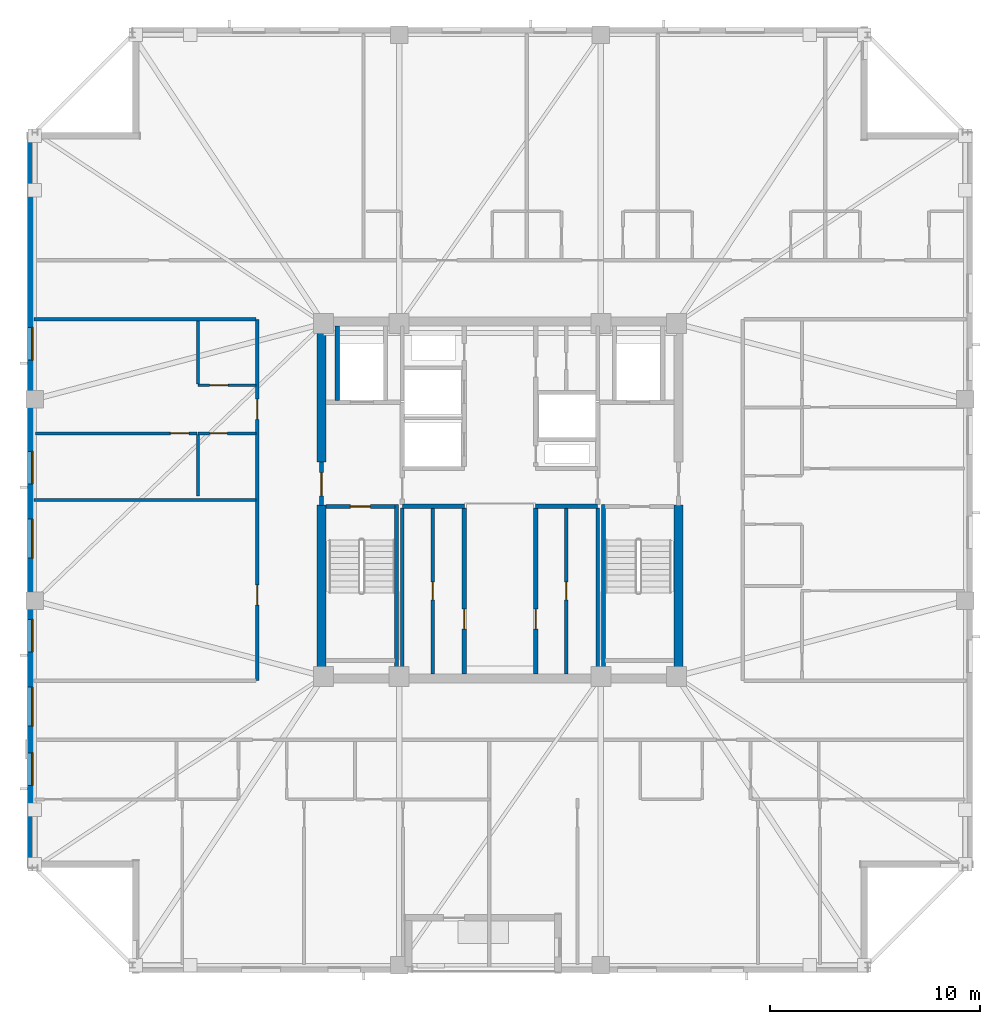
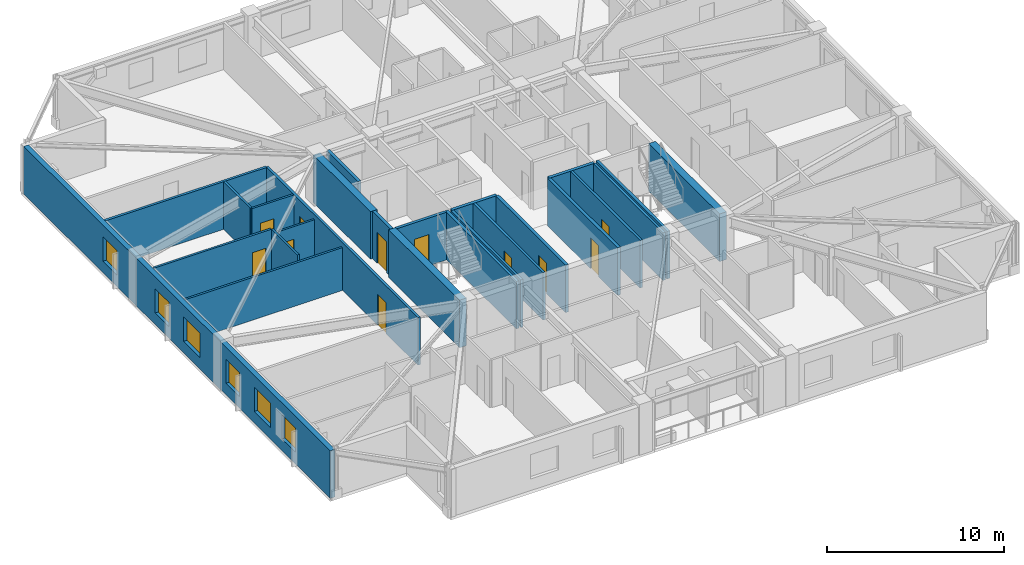
# One storey, part 8 of 17: 25 walls, 11 doors, 6 windows, 17 openings.
"""IFC4 building model written with IfcOpenShell, lengths in metres."""

from ifc_helpers import new_model, si_unit, direction, frame, frame_2d, origin, place, context, subcontext, project, spatial, rectangle, extrude, material, layer, layer_set, type_object, element, fill, save


model = new_model("IFC4")

# Units and contexts
model_context = context("Model", 3, precision=1e-05, world=origin(), true_north=direction((0.0, 1.0)))
body_context = subcontext(model_context, "Body", "Model", "MODEL_VIEW")
ifc_project = project(units=[si_unit("LENGTHUNIT", "METRE"), si_unit("AREAUNIT", "SQUARE_METRE"), si_unit("VOLUMEUNIT", "CUBIC_METRE"), si_unit("PLANEANGLEUNIT", "RADIAN"), si_unit("MASSUNIT", "GRAM", prefix="KILO")], contexts=[model_context])

# Site, building, storey
site_placement = place(None, origin())
site = spatial("IfcSite", under=ifc_project, at=site_placement, CompositionType="ELEMENT")
building_placement = place(site_placement, origin())
building = spatial("IfcBuilding", under=site, at=building_placement, Name="Cairnveth Concourse Tower", CompositionType="ELEMENT")
storey_placement = place(building_placement, frame((0.0, 0.0, 269.0)))
storey = spatial("IfcBuildingStorey", under=building, at=storey_placement, Name="L74", CompositionType="ELEMENT", Elevation=269.0)

# Wall
ifc_material_1 = material(Name="Gypsum Plasterboard Partition", Category="gypsum")
ifc_layer_1 = layer(ifc_material_1, 0.159912109375)
ifc_layer_set_1 = layer_set([ifc_layer_1], Name="Gypsum Plasterboard Partition")
wall_type_1 = type_object("IfcWallType", Name="ACOUSTIC PARTY WALL 180", PredefinedType="PARTITIONING", material=ifc_layer_set_1)
wall_1_placement = place(storey_placement, frame((47.35009765625, 30.7099609375, 0.0), z_axis=(0.0, 0.0, 1.0), x_axis=(0.0, 1.0, 0.0)))
element("IfcWall", 1, at=wall_1_placement, inside=storey, type_object=wall_type_1, Name="Interior Wall IW-L74-025", PredefinedType="PARTITIONING", context=body_context, shape_type="SweptSolid", body=[
    extrude(rectangle(XDim=7.905029296875, YDim=0.159912109375, at=frame_2d((3.95263671875, 0.0))), origin(), (0.0, 0.0, 1.0), 3.2900390625),
])

# Wall, opening, door
wall_2_placement = place(storey_placement, frame((48.800048828125, 30.7099609375, 0.0), z_axis=(0.0, 0.0, 1.0), x_axis=(0.0, 1.0, 0.0)))
wall_2 = element("IfcWall", 2, at=wall_2_placement, inside=storey, type_object=wall_type_1, Name="Interior Wall IW-L74-026", PredefinedType="PARTITIONING", context=body_context, shape_type="SweptSolid", body=[
    extrude(rectangle(XDim=7.905029296875, YDim=0.159912109375, at=frame_2d((3.95263671875, 0.0))), origin(), (0.0, 0.0, 1.0), 3.2900390625),
])
opening_1_placement = place(wall_2_placement, frame((3.5400390625, 0.0, 0.0)))
opening_1 = element("IfcOpeningElement", 3, at=opening_1_placement, cuts=wall_2, Name="Opening ID19", PredefinedType="OPENING", context=body_context, shape_type="SweptSolid", body=[
    extrude(rectangle(XDim=0.85009765625, YDim=2.1201171875, at=frame_2d((0.425048828125, 1.06005859375))), frame((0.0, 0.08984375, 0.0), z_axis=(0.0, -1.0, 0.0), x_axis=(1.0, 0.0, 0.0)), (0.0, 0.0, 1.0), 0.179931640625),
])
ifc_material_2 = material(Name="Steel Grade 350", Category="steel")
door_type_1 = type_object("IfcDoorType", Name="CORE SERVICE DOOR 850X2100", OperationType="NOTDEFINED", PredefinedType="DOOR", material=ifc_material_2)
door_1_placement = place(opening_1_placement, origin())
door_1 = element("IfcDoor", 4, at=door_1_placement, inside=storey, type_object=door_type_1, Name="Inner Store Door L74", OperationType="SINGLE_SWING_RIGHT", OverallHeight=2.1201171875, OverallWidth=0.85009765625, PredefinedType="DOOR", context=body_context, shape_type="SweptSolid", body=[
    extrude(rectangle(XDim=0.85009765625, YDim=2.1201171875, at=frame_2d((0.425048828125, 1.06005859375))), frame((0.0, 0.02490234375, 0.0), z_axis=(0.0, -1.0, 0.0), x_axis=(1.0, 0.0, 0.0)), (0.0, 0.0, 1.0), 0.050048828125),
])
fill(opening_1, door_1)

# Wall
wall_3_placement = place(storey_placement, frame((56.64990234375, 30.7099609375, 0.0), z_axis=(0.0, 0.0, 1.0), x_axis=(0.0, 1.0, 0.0)))
element("IfcWall", 5, at=wall_3_placement, inside=storey, type_object=wall_type_1, Name="Interior Wall IW-L74-027", PredefinedType="PARTITIONING", context=body_context, shape_type="SweptSolid", body=[
    extrude(rectangle(XDim=7.905029296875, YDim=0.159912109375, at=frame_2d((3.95263671875, 0.0))), origin(), (0.0, 0.0, 1.0), 3.2900390625),
])

# Wall, opening, door
wall_4_placement = place(storey_placement, frame((55.14990234375, 30.7099609375, 0.0), z_axis=(0.0, 0.0, 1.0), x_axis=(0.0, 1.0, 0.0)))
wall_4 = element("IfcWall", 6, at=wall_4_placement, inside=storey, type_object=wall_type_1, Name="Interior Wall IW-L74-028", PredefinedType="PARTITIONING", context=body_context, shape_type="SweptSolid", body=[
    extrude(rectangle(XDim=7.905029296875, YDim=0.159912109375, at=frame_2d((3.95263671875, 0.0))), origin(), (0.0, 0.0, 1.0), 3.2900390625),
])
opening_2_placement = place(wall_4_placement, frame((3.5400390625, 0.0, 0.0)))
opening_2 = element("IfcOpeningElement", 7, at=opening_2_placement, cuts=wall_4, Name="Opening ID19", PredefinedType="OPENING", context=body_context, shape_type="SweptSolid", body=[
    extrude(rectangle(XDim=0.85009765625, YDim=2.1201171875, at=frame_2d((0.425048828125, 1.06005859375))), frame((0.0, 0.08984375, 0.0), z_axis=(0.0, -1.0, 0.0), x_axis=(1.0, 0.0, 0.0)), (0.0, 0.0, 1.0), 0.179931640625),
])
door_2_placement = place(opening_2_placement, origin())
door_2 = element("IfcDoor", 8, at=door_2_placement, inside=storey, type_object=door_type_1, Name="Wine Cellar Door L74", OperationType="SINGLE_SWING_RIGHT", OverallHeight=2.1201171875, OverallWidth=0.85009765625, PredefinedType="DOOR", context=body_context, shape_type="SweptSolid", body=[
    extrude(rectangle(XDim=0.85009765625, YDim=2.1201171875, at=frame_2d((0.425048828125, 1.06005859375))), frame((0.0, 0.02490234375, 0.0), z_axis=(0.0, -1.0, 0.0), x_axis=(1.0, 0.0, 0.0)), (0.0, 0.0, 1.0), 0.050048828125),
])
fill(opening_2, door_2)

# Wall, openings, doors
wall_5_placement = place(storey_placement, frame((40.449951171875, 30.39990234375, 0.0), z_axis=(0.0, 0.0, 1.0), x_axis=(0.0, 1.0, 0.0)))
wall_5 = element("IfcWall", 9, at=wall_5_placement, inside=storey, type_object=wall_type_1, Name="Interior Wall IW-L74-038", PredefinedType="PARTITIONING", context=body_context, shape_type="SweptSolid", body=[
    extrude(rectangle(XDim=17.2001953125, YDim=0.159912109375, at=frame_2d((8.60009765625, 0.0))), origin(), (0.0, 0.0, 1.0), 3.2900390625),
])
opening_3_placement = place(wall_5_placement, frame((3.60009765625, 0.0, 0.0)))
opening_3 = element("IfcOpeningElement", 10, at=opening_3_placement, cuts=wall_5, Name="Opening ID11", PredefinedType="OPENING", context=body_context, shape_type="SweptSolid", body=[
    extrude(rectangle(XDim=0.9599609375, YDim=2.1201171875, at=frame_2d((0.47998046875, 1.06005859375))), frame((0.0, 0.08984375, 0.0), z_axis=(0.0, -1.0, 0.0), x_axis=(1.0, 0.0, 0.0)), (0.0, 0.0, 1.0), 0.179931640625),
])
opening_4_placement = place(wall_5_placement, frame((12.43994140625, 0.0, 0.0)))
opening_4 = element("IfcOpeningElement", 11, at=opening_4_placement, cuts=wall_5, Name="Opening ID10", PredefinedType="OPENING", context=body_context, shape_type="SweptSolid", body=[
    extrude(rectangle(XDim=0.9599609375, YDim=2.179931640625, at=frame_2d((0.47998046875, 1.08984375))), frame((0.0, 0.08984375, 0.0), z_axis=(0.0, -1.0, 0.0), x_axis=(1.0, 0.0, 0.0)), (0.0, 0.0, 1.0), 0.179931640625),
])
ifc_material_3 = material(Name="Solid Core Hardwood Timber Leaf", Category="wood")
door_type_2 = type_object("IfcDoorType", Name="FLAT ENTRANCE DOOR 960X2150", OperationType="NOTDEFINED", PredefinedType="DOOR", material=ifc_material_3)
door_3_placement = place(opening_4_placement, origin())
door_3 = element("IfcDoor", 12, at=door_3_placement, inside=storey, type_object=door_type_2, Name="Apartment L74W1 Entrance Door", OperationType="SINGLE_SWING_LEFT", OverallHeight=2.179931640625, OverallWidth=0.9599609375, PredefinedType="DOOR", context=body_context, shape_type="SweptSolid", body=[
    extrude(rectangle(XDim=0.9599609375, YDim=2.179931640625, at=frame_2d((0.47998046875, 1.08984375))), frame((0.0, 0.02490234375, 0.0), z_axis=(0.0, -1.0, 0.0), x_axis=(1.0, 0.0, 0.0)), (0.0, 0.0, 1.0), 0.050048828125),
])
fill(opening_4, door_3)
door_type_3 = type_object("IfcDoorType", Name="INTERIOR SINGLE DOOR 960X2150", OperationType="NOTDEFINED", PredefinedType="DOOR", material=ifc_material_3)
door_4_placement = place(opening_3_placement, origin())
door_4 = element("IfcDoor", 13, at=door_4_placement, inside=storey, type_object=door_type_3, Name="Interior Door DR-L74-045", OperationType="SINGLE_SWING_LEFT", OverallHeight=2.1201171875, OverallWidth=0.9599609375, PredefinedType="DOOR", context=body_context, shape_type="SweptSolid", body=[
    extrude(rectangle(XDim=0.9599609375, YDim=2.1201171875, at=frame_2d((0.47998046875, 1.06005859375))), frame((0.0, 0.02490234375, 0.0), z_axis=(0.0, -1.0, 0.0), x_axis=(1.0, 0.0, 0.0)), (0.0, 0.0, 1.0), 0.050048828125),
])
fill(opening_3, door_4)

# Walls
wall_6_placement = place(storey_placement, frame((29.804931640625, 47.60009765625, 0.0), z_axis=(0.0, 0.0, 1.0), x_axis=(1.0, 0.0, 0.0)))
element("IfcWall", 14, at=wall_6_placement, inside=storey, type_object=wall_type_1, Name="Interior Wall IW-L74-041", PredefinedType="PARTITIONING", context=body_context, shape_type="SweptSolid", body=[
    extrude(rectangle(XDim=10.580078125, YDim=0.159912109375, at=frame_2d((5.2900390625, 0.0))), origin(), (0.0, 0.0, 1.0), 3.2900390625),
])
ifc_material_4 = material(Name="Concrete N65 (65 MPa)", Category="concrete")
ifc_layer_2 = layer(ifc_material_4, 0.449951171875)
ifc_layer_set_2 = layer_set([ifc_layer_2], Name="Concrete N65 (65 MPa)")
wall_type_2 = type_object("IfcWallType", Name="CORE SHEAR WALL 450", PredefinedType="SHEAR", material=ifc_layer_set_2)
wall_7_placement = place(storey_placement, frame((43.5, 30.715087890625, 0.0), z_axis=(0.0, 0.0, 1.0), x_axis=(0.0, 1.0, 0.0)))
element("IfcWall", 15, at=wall_7_placement, inside=storey, type_object=wall_type_2, Name="Core West Shear Wall S L74", PredefinedType="SHEAR", context=body_context, shape_type="SweptSolid", body=[
    extrude(rectangle(XDim=8.034912109375, YDim=0.449951171875, at=frame_2d((4.017578125, 0.0))), origin(), (0.0, 0.0, 1.0), 3.2900390625),
])
wall_8_placement = place(storey_placement, frame((43.5, 40.800048828125, 0.0), z_axis=(0.0, 0.0, 1.0), x_axis=(0.0, 1.0, 0.0)))
element("IfcWall", 16, at=wall_8_placement, inside=storey, type_object=wall_type_2, Name="Core West Shear Wall N L74", PredefinedType="SHEAR", context=body_context, shape_type="SweptSolid", body=[
    extrude(rectangle(XDim=6.48486328125, YDim=0.449951171875, at=frame_2d((3.242431640625, 0.0))), origin(), (0.0, 0.0, 1.0), 3.2900390625),
])
wall_9_placement = place(storey_placement, frame((60.5, 30.715087890625, 0.0), z_axis=(0.0, 0.0, 1.0), x_axis=(0.0, 1.0, 0.0)))
element("IfcWall", 17, at=wall_9_placement, inside=storey, type_object=wall_type_2, Name="Core East Shear Wall S L74", PredefinedType="SHEAR", context=body_context, shape_type="SweptSolid", body=[
    extrude(rectangle(XDim=8.034912109375, YDim=0.449951171875, at=frame_2d((4.017578125, 0.0))), origin(), (0.0, 0.0, 1.0), 3.2900390625),
])

# Wall, opening, door
ifc_material_5 = material(Name="Concrete N50 (50 MPa)", Category="concrete")
ifc_layer_3 = layer(ifc_material_5, 0.179931640625)
ifc_layer_set_3 = layer_set([ifc_layer_3], Name="Concrete N50 (50 MPa)")
wall_type_3 = type_object("IfcWallType", Name="FIRE SHAFT WALL 180", PredefinedType="SOLIDWALL", material=ifc_layer_set_3)
wall_10_placement = place(storey_placement, frame((43.715087890625, 38.68994140625, 0.0), z_axis=(0.0, 0.0, 1.0), x_axis=(1.0, 0.0, 0.0)))
wall_10 = element("IfcWall", 18, at=wall_10_placement, inside=storey, type_object=wall_type_3, Name="Stair ST-1 Shaft Wall NEAR L74", PredefinedType="SOLIDWALL", context=body_context, shape_type="SweptSolid", body=[
    extrude(rectangle(XDim=3.280029296875, YDim=0.179931640625, at=frame_2d((1.64013671875, 0.0))), origin(), (0.0, 0.0, 1.0), 3.2900390625),
])
opening_5_placement = place(wall_10_placement, frame((1.1650390625, 0.0, 0.0)))
opening_5 = element("IfcOpeningElement", 19, at=opening_5_placement, cuts=wall_10, Name="Opening ID12", PredefinedType="OPENING", context=body_context, shape_type="SweptSolid", body=[
    extrude(rectangle(XDim=0.949951171875, YDim=2.14990234375, at=frame_2d((0.47509765625, 1.074951171875))), frame((0.0, 0.099853515625, 0.0), z_axis=(0.0, -1.0, 0.0), x_axis=(1.0, 0.0, 0.0)), (0.0, 0.0, 1.0), 0.199951171875),
])
door_type_4 = type_object("IfcDoorType", Name="FIRE STAIR DOOR 950X2150", OperationType="NOTDEFINED", PredefinedType="DOOR", material=ifc_material_2)
door_5_placement = place(opening_5_placement, origin())
door_5 = element("IfcDoor", 20, at=door_5_placement, inside=storey, type_object=door_type_4, Name="Stair ST-1 Fire Door L74", OperationType="SINGLE_SWING_LEFT", OverallHeight=2.14990234375, OverallWidth=0.949951171875, PredefinedType="DOOR", context=body_context, shape_type="SweptSolid", body=[
    extrude(rectangle(XDim=0.949951171875, YDim=2.14990234375, at=frame_2d((0.47509765625, 1.074951171875))), frame((0.0, 0.02490234375, 0.0), z_axis=(0.0, -1.0, 0.0), x_axis=(1.0, 0.0, 0.0)), (0.0, 0.0, 1.0), 0.050048828125),
])
fill(opening_5, door_5)

# Walls
for number, where, z_axis, x_axis, name in (
    (21, (47.070068359375, 38.780029296875, 0.0), (0.0, 0.0, 1.0), (0.0, -1.0, 0.0), "Stair ST-1 Shaft Wall RGHT L74"),
    (22, (56.929931640625, 38.780029296875, 0.0), (0.0, 0.0, 1.0), (0.0, -1.0, 0.0), "Stair ST-2 Shaft Wall LEFT L74"),
):
    element("IfcWall", number, at=place(storey_placement, frame(where, z_axis=z_axis, x_axis=x_axis)), inside=storey, type_object=wall_type_3, Name=name, PredefinedType="SOLIDWALL", context=body_context, shape_type="SweptSolid", body=[
        extrude(rectangle(XDim=8.067138671875, YDim=0.179931640625, at=frame_2d((4.03369140625, 0.0))), origin(), (0.0, 0.0, 1.0), 3.2900390625),
    ])
ifc_layer_4 = layer(ifc_material_5, 0.199951171875)
ifc_layer_set_4 = layer_set([ifc_layer_4], Name="Concrete N50 (50 MPa)")
wall_type_4 = type_object("IfcWallType", Name="FIRE SHAFT WALL 200", PredefinedType="SOLIDWALL", material=ifc_layer_set_4)
for number, where, z_axis, x_axis, name in (
    (23, (47.35009765625, 38.699951171875, 0.0), (0.0, 0.0, 1.0), (1.0, 0.0, 0.0), "Interior Wall IW-L74-007"),
    (24, (53.699951171875, 38.699951171875, 0.0), (0.0, 0.0, 1.0), (1.0, 0.0, 0.0), "Interior Wall IW-L74-009"),
):
    element("IfcWall", number, at=place(storey_placement, frame(where, z_axis=z_axis, x_axis=x_axis)), inside=storey, type_object=wall_type_4, Name=name, PredefinedType="SOLIDWALL", context=body_context, shape_type="SweptSolid", body=[
        extrude(rectangle(XDim=2.949951171875, YDim=0.199951171875, at=frame_2d((1.47509765625, 0.0))), origin(), (0.0, 0.0, 1.0), 3.2900390625),
    ])

# Wall, opening, door
wall_11_placement = place(storey_placement, frame((50.300048828125, 30.7099609375, 0.0), z_axis=(0.0, 0.0, 1.0), x_axis=(0.0, 1.0, 0.0)))
wall_11 = element("IfcWall", 25, at=wall_11_placement, inside=storey, type_object=wall_type_4, Name="Interior Wall IW-L74-011", PredefinedType="SOLIDWALL", context=body_context, shape_type="SweptSolid", body=[
    extrude(rectangle(XDim=7.905029296875, YDim=0.199951171875, at=frame_2d((3.95263671875, 0.0))), origin(), (0.0, 0.0, 1.0), 3.2900390625),
])
opening_6_placement = place(wall_11_placement, frame((2.139892578125, 0.0, 0.0)))
opening_6 = element("IfcOpeningElement", 26, at=opening_6_placement, cuts=wall_11, Name="Opening ID25", PredefinedType="OPENING", context=body_context, shape_type="SweptSolid", body=[
    extrude(rectangle(XDim=0.949951171875, YDim=2.1201171875, at=frame_2d((0.47509765625, 1.06005859375))), frame((0.0, 0.10986328125, 0.0), z_axis=(0.0, -1.0, 0.0), x_axis=(1.0, 0.0, 0.0)), (0.0, 0.0, 1.0), 0.219970703125),
])
door_type_5 = type_object("IfcDoorType", Name="CORE ACCESSIBLE FIRE DOOR 950X2120", OperationType="NOTDEFINED", PredefinedType="DOOR", material=ifc_material_2)
door_6_placement = place(opening_6_placement, origin())
door_6 = element("IfcDoor", 27, at=door_6_placement, inside=storey, type_object=door_type_5, Name="Accessible WC Suite Door L74", OperationType="SINGLE_SWING_LEFT", OverallHeight=2.1201171875, OverallWidth=0.949951171875, PredefinedType="DOOR", context=body_context, shape_type="SweptSolid", body=[
    extrude(rectangle(XDim=0.949951171875, YDim=2.1201171875, at=frame_2d((0.47509765625, 1.06005859375))), frame((0.0, 0.02490234375, 0.0), z_axis=(0.0, -1.0, 0.0), x_axis=(1.0, 0.0, 0.0)), (0.0, 0.0, 1.0), 0.050048828125),
])
fill(opening_6, door_6)

wall_12_placement = place(storey_placement, frame((53.699951171875, 30.7099609375, 0.0), z_axis=(0.0, 0.0, 1.0), x_axis=(0.0, 1.0, 0.0)))
wall_12 = element("IfcWall", 28, at=wall_12_placement, inside=storey, type_object=wall_type_4, Name="Interior Wall IW-L74-012", PredefinedType="SOLIDWALL", context=body_context, shape_type="SweptSolid", body=[
    extrude(rectangle(XDim=7.905029296875, YDim=0.199951171875, at=frame_2d((3.95263671875, 0.0))), origin(), (0.0, 0.0, 1.0), 3.2900390625),
])
opening_7_placement = place(wall_12_placement, frame((2.139892578125, 0.0, 0.0)))
opening_7 = element("IfcOpeningElement", 29, at=opening_7_placement, cuts=wall_12, Name="Opening ID25", PredefinedType="OPENING", context=body_context, shape_type="SweptSolid", body=[
    extrude(rectangle(XDim=0.949951171875, YDim=2.1201171875, at=frame_2d((0.47509765625, 1.06005859375))), frame((0.0, 0.10986328125, 0.0), z_axis=(0.0, -1.0, 0.0), x_axis=(1.0, 0.0, 0.0)), (0.0, 0.0, 1.0), 0.219970703125),
])
door_7_placement = place(opening_7_placement, origin())
door_7 = element("IfcDoor", 30, at=door_7_placement, inside=storey, type_object=door_type_5, Name="Sky Restroom Door L74", OperationType="SINGLE_SWING_LEFT", OverallHeight=2.1201171875, OverallWidth=0.949951171875, PredefinedType="DOOR", context=body_context, shape_type="SweptSolid", body=[
    extrude(rectangle(XDim=0.949951171875, YDim=2.1201171875, at=frame_2d((0.47509765625, 1.06005859375))), frame((0.0, 0.02490234375, 0.0), z_axis=(0.0, -1.0, 0.0), x_axis=(1.0, 0.0, 0.0)), (0.0, 0.0, 1.0), 0.050048828125),
])
fill(opening_7, door_7)

wall_13_placement = place(storey_placement, frame((43.5, 38.75, 0.0), z_axis=(0.0, 0.0, 1.0), x_axis=(0.0, 1.0, 0.0)))
wall_13 = element("IfcWall", 31, at=wall_13_placement, inside=storey, type_object=wall_type_4, Name="Interior Wall IW-L74-015", PredefinedType="SOLIDWALL", context=body_context, shape_type="SweptSolid", body=[
    extrude(rectangle(XDim=2.050048828125, YDim=0.199951171875, at=frame_2d((1.02490234375, 0.0))), origin(), (0.0, 0.0, 1.0), 3.2900390625),
])
opening_8_placement = place(wall_13_placement, frame((0.449951171875, 0.0, 0.0)))
opening_8 = element("IfcOpeningElement", 32, at=opening_8_placement, cuts=wall_13, Name="Opening ID06", PredefinedType="OPENING", context=body_context, shape_type="SweptSolid", body=[
    extrude(rectangle(XDim=1.10009765625, YDim=2.14990234375, at=frame_2d((0.550048828125, 1.074951171875))), frame((0.0, 0.10986328125, 0.0), z_axis=(0.0, -1.0, 0.0), x_axis=(1.0, 0.0, 0.0)), (0.0, 0.0, 1.0), 0.219970703125),
])
door_type_6 = type_object("IfcDoorType", Name="FIRE CORRIDOR DOOR 1100X2150", OperationType="NOTDEFINED", PredefinedType="DOOR", material=ifc_material_2)
door_8_placement = place(opening_8_placement, origin())
door_8 = element("IfcDoor", 33, at=door_8_placement, inside=storey, type_object=door_type_6, Name="West Wing to FF Lobby Door L74", OperationType="SINGLE_SWING_LEFT", OverallHeight=2.14990234375, OverallWidth=1.10009765625, PredefinedType="DOOR", context=body_context, shape_type="SweptSolid", body=[
    extrude(rectangle(XDim=1.10009765625, YDim=2.14990234375, at=frame_2d((0.550048828125, 1.074951171875))), frame((0.0, 0.02490234375, 0.0), z_axis=(0.0, -1.0, 0.0), x_axis=(1.0, 0.0, 0.0)), (0.0, 0.0, 1.0), 0.050048828125),
])
fill(opening_8, door_8)

# Walls
wall_14_placement = place(storey_placement, frame((44.25, 43.735107421875, 0.0), z_axis=(0.0, 0.0, 1.0), x_axis=(0.0, 1.0, 0.0)))
element("IfcWall", 34, at=wall_14_placement, inside=storey, type_object=wall_type_4, Name="Interior Wall IW-L74-019", PredefinedType="SOLIDWALL", context=body_context, shape_type="SweptSolid", body=[
    extrude(rectangle(XDim=3.554931640625, YDim=0.199951171875, at=frame_2d((1.77734375, 0.0))), origin(), (0.0, 0.0, 1.0), 3.2900390625),
])
ifc_layer_5 = layer(ifc_material_1, 0.139892578125)
ifc_layer_set_5 = layer_set([ifc_layer_5], Name="Gypsum Plasterboard Partition")
wall_type_5 = type_object("IfcWallType", Name="GYPSUM STUD PARTITION 140", PredefinedType="PARTITIONING", material=ifc_layer_set_5)
wall_15_placement = place(storey_placement, frame((29.804931640625, 39.0, 0.0), z_axis=(0.0, 0.0, 1.0), x_axis=(1.0, 0.0, 0.0)))
element("IfcWall", 35, at=wall_15_placement, inside=storey, type_object=wall_type_5, Name="Interior Wall IW-L74-086", PredefinedType="PARTITIONING", context=body_context, shape_type="SweptSolid", body=[
    extrude(rectangle(XDim=10.565185546875, YDim=0.139892578125, at=frame_2d((5.28271484375, 0.0))), origin(), (0.0, 0.0, 1.0), 2.9580078125),
])

# Wall, opening, door
wall_16_placement = place(storey_placement, frame((29.8798828125, 42.169921875, 0.0), z_axis=(0.0, 0.0, 1.0), x_axis=(1.0, 0.0, 0.0)))
wall_16 = element("IfcWall", 36, at=wall_16_placement, inside=storey, type_object=wall_type_5, Name="Interior Wall IW-L74-091", PredefinedType="PARTITIONING", context=body_context, shape_type="SweptSolid", body=[
    extrude(rectangle(XDim=7.690185546875, YDim=0.139892578125, at=frame_2d((3.84521484375, 0.0))), origin(), (0.0, 0.0, 1.0), 3.2900390625),
])
opening_9_placement = place(wall_16_placement, frame((6.429931640625, 0.0, 0.0)))
opening_9 = element("IfcOpeningElement", 37, at=opening_9_placement, cuts=wall_16, Name="Opening ID18", PredefinedType="OPENING", context=body_context, shape_type="SweptSolid", body=[
    extrude(rectangle(XDim=0.8798828125, YDim=2.10009765625, at=frame_2d((0.43994140625, 1.050048828125))), frame((0.0, 0.079833984375, 0.0), z_axis=(0.0, -1.0, 0.0), x_axis=(1.0, 0.0, 0.0)), (0.0, 0.0, 1.0), 0.159912109375),
])
door_type_7 = type_object("IfcDoorType", Name="INTERIOR SINGLE DOOR 880X2100", OperationType="NOTDEFINED", PredefinedType="DOOR", material=ifc_material_3)
door_9_placement = place(opening_9_placement, origin())
door_9 = element("IfcDoor", 38, at=door_9_placement, inside=storey, type_object=door_type_7, Name="L74W1 Master Bedroom Door", OperationType="SINGLE_SWING_RIGHT", OverallHeight=2.10009765625, OverallWidth=0.8798828125, PredefinedType="DOOR", context=body_context, shape_type="SweptSolid", body=[
    extrude(rectangle(XDim=0.8798828125, YDim=2.10009765625, at=frame_2d((0.43994140625, 1.050048828125))), frame((0.0, 0.02490234375, 0.0), z_axis=(0.0, -1.0, 0.0), x_axis=(1.0, 0.0, 0.0)), (0.0, 0.0, 1.0), 0.050048828125),
])
fill(opening_9, door_9)

ifc_layer_6 = layer(ifc_material_1, 0.1298828125)
ifc_layer_set_6 = layer_set([ifc_layer_6], Name="Gypsum Plasterboard Partition")
wall_type_6 = type_object("IfcWallType", Name="WET AREA PARTITION 140", PredefinedType="PLUMBINGWALL", material=ifc_layer_set_6)
wall_17_placement = place(storey_placement, frame((37.6201171875, 42.169921875, 0.0), z_axis=(0.0, 0.0, 1.0), x_axis=(1.0, 0.0, 0.0)))
wall_17 = element("IfcWall", 39, at=wall_17_placement, inside=storey, type_object=wall_type_6, Name="Interior Wall IW-L74-087", PredefinedType="PLUMBINGWALL", context=body_context, shape_type="SweptSolid", body=[
    extrude(rectangle(XDim=2.75, YDim=0.1298828125, at=frame_2d((1.375, 0.0))), origin(), (0.0, 0.0, 1.0), 2.9580078125),
])
opening_10_placement = place(wall_17_placement, frame((0.550048828125, 0.0, 0.0)))
opening_10 = element("IfcOpeningElement", 40, at=opening_10_placement, cuts=wall_17, Name="Opening ID21", PredefinedType="OPENING", context=body_context, shape_type="SweptSolid", body=[
    extrude(rectangle(XDim=0.85009765625, YDim=2.080078125, at=frame_2d((0.425048828125, 1.0400390625))), frame((0.0, 0.074951171875, 0.0), z_axis=(0.0, -1.0, 0.0), x_axis=(1.0, 0.0, 0.0)), (0.0, 0.0, 1.0), 0.14990234375),
])
door_type_8 = type_object("IfcDoorType", Name="INTERIOR WC DOOR 850X2100", OperationType="NOTDEFINED", PredefinedType="DOOR", material=ifc_material_3)
door_10_placement = place(opening_10_placement, origin())
door_10 = element("IfcDoor", 41, at=door_10_placement, inside=storey, type_object=door_type_8, Name="L74W1 Bathroom Door", OperationType="SINGLE_SWING_RIGHT", OverallHeight=2.080078125, OverallWidth=0.85009765625, PredefinedType="DOOR", context=body_context, shape_type="SweptSolid", body=[
    extrude(rectangle(XDim=0.85009765625, YDim=2.080078125, at=frame_2d((0.425048828125, 1.0400390625))), frame((0.0, 0.02490234375, 0.0), z_axis=(0.0, -1.0, 0.0), x_axis=(1.0, 0.0, 0.0)), (0.0, 0.0, 1.0), 0.050048828125),
])
fill(opening_10, door_10)

# Wall
wall_18_placement = place(storey_placement, frame((37.6201171875, 39.179931640625, 0.0), z_axis=(0.0, 0.0, 1.0), x_axis=(0.0, 1.0, 0.0)))
element("IfcWall", 42, at=wall_18_placement, inside=storey, type_object=wall_type_6, Name="Interior Wall IW-L74-088", PredefinedType="PLUMBINGWALL", context=body_context, shape_type="SweptSolid", body=[
    extrude(rectangle(XDim=2.940185546875, YDim=0.1298828125, at=frame_2d((1.47021484375, 0.0))), origin(), (0.0, 0.0, 1.0), 3.2900390625),
])

# Wall, opening, door
wall_19_placement = place(storey_placement, frame((37.6201171875, 44.469970703125, 0.0), z_axis=(0.0, 0.0, 1.0), x_axis=(1.0, 0.0, 0.0)))
wall_19 = element("IfcWall", 43, at=wall_19_placement, inside=storey, type_object=wall_type_6, Name="Interior Wall IW-L74-089", PredefinedType="PLUMBINGWALL", context=body_context, shape_type="SweptSolid", body=[
    extrude(rectangle(XDim=2.75, YDim=0.1298828125, at=frame_2d((1.375, 0.0))), origin(), (0.0, 0.0, 1.0), 3.2900390625),
])
opening_11_placement = place(wall_19_placement, frame((0.550048828125, 0.0, 0.0)))
opening_11 = element("IfcOpeningElement", 44, at=opening_11_placement, cuts=wall_19, Name="Opening ID18", PredefinedType="OPENING", context=body_context, shape_type="SweptSolid", body=[
    extrude(rectangle(XDim=0.8798828125, YDim=2.10009765625, at=frame_2d((0.43994140625, 1.050048828125))), frame((0.0, 0.074951171875, 0.0), z_axis=(0.0, -1.0, 0.0), x_axis=(1.0, 0.0, 0.0)), (0.0, 0.0, 1.0), 0.14990234375),
])
door_11_placement = place(opening_11_placement, origin())
door_11 = element("IfcDoor", 45, at=door_11_placement, inside=storey, type_object=door_type_7, Name="L74W1 Kitchen Door", OperationType="SINGLE_SWING_LEFT", OverallHeight=2.10009765625, OverallWidth=0.8798828125, PredefinedType="DOOR", context=body_context, shape_type="SweptSolid", body=[
    extrude(rectangle(XDim=0.8798828125, YDim=2.10009765625, at=frame_2d((0.43994140625, 1.050048828125))), frame((0.0, 0.02490234375, 0.0), z_axis=(0.0, -1.0, 0.0), x_axis=(1.0, 0.0, 0.0)), (0.0, 0.0, 1.0), 0.050048828125),
])
fill(opening_11, door_11)

# Wall
wall_20_placement = place(storey_placement, frame((37.6201171875, 44.52001953125, 0.0), z_axis=(0.0, 0.0, 1.0), x_axis=(0.0, 1.0, 0.0)))
element("IfcWall", 46, at=wall_20_placement, inside=storey, type_object=wall_type_6, Name="Interior Wall IW-L74-090", PredefinedType="PLUMBINGWALL", context=body_context, shape_type="SweptSolid", body=[
    extrude(rectangle(XDim=3.014892578125, YDim=0.1298828125, at=frame_2d((1.50732421875, 0.0))), origin(), (0.0, 0.0, 1.0), 3.2900390625),
])

# Wall, openings, windows
ifc_material_6 = material(Name="Melbourne Buff Fired Clay Brick Masonry", Category="masonry")
ifc_layer_7 = layer(ifc_material_6, 0.320068359375)
ifc_layer_set_7 = layer_set([ifc_layer_7], Name="Melbourne Buff Fired Clay Brick Masonry")
wall_type_7 = type_object("IfcWallType", Name="ZONE 3 BRICK PIER SPANDREL WALL 320", PredefinedType="SOLIDWALL", material=ifc_layer_set_7)
wall_21_placement = place(storey_placement, frame((29.659912109375, 21.5, 0.0), z_axis=(0.0, 0.0, 1.0), x_axis=(0.0, 1.0, 0.0)))
wall_21 = element("IfcWall", 47, at=wall_21_placement, inside=storey, type_object=wall_type_7, Name="Exterior Wall EW-L74-S03", PredefinedType="SOLIDWALL", context=body_context, shape_type="SweptSolid", body=[
    extrude(rectangle(XDim=34.701904296875, YDim=0.320068359375, at=frame_2d((17.35107421875, 0.0))), origin(), (0.0, 0.0, 1.0), 3.2900390625),
])
opening_12_placement = place(wall_21_placement, frame((3.91259765625, 0.0, 0.800048828125)))
opening_12 = element("IfcOpeningElement", 48, at=opening_12_placement, cuts=wall_21, Name="Opening W07", PredefinedType="OPENING", context=body_context, shape_type="SweptSolid", body=[
    extrude(rectangle(XDim=1.550048828125, YDim=1.677978515625, at=frame_2d((0.77490234375, 0.8388671875))), frame((0.0, 0.169921875, 0.0), z_axis=(0.0, -1.0, 0.0), x_axis=(1.0, 0.0, 0.0)), (0.0, 0.0, 1.0), 0.340087890625),
])
opening_13_placement = place(wall_21_placement, frame((6.73779296875, 0.0, 0.800048828125)))
opening_13 = element("IfcOpeningElement", 49, at=opening_13_placement, cuts=wall_21, Name="Opening W08", PredefinedType="OPENING", context=body_context, shape_type="SweptSolid", body=[
    extrude(rectangle(XDim=1.85009765625, YDim=1.677978515625, at=frame_2d((0.925048828125, 0.8388671875))), frame((0.0, 0.169921875, 0.0), z_axis=(0.0, -1.0, 0.0), x_axis=(1.0, 0.0, 0.0)), (0.0, 0.0, 1.0), 0.340087890625),
])
opening_14_placement = place(wall_21_placement, frame((10.26318359375, 0.0, 0.800048828125)))
opening_14 = element("IfcOpeningElement", 50, at=opening_14_placement, cuts=wall_21, Name="Opening W07", PredefinedType="OPENING", context=body_context, shape_type="SweptSolid", body=[
    extrude(rectangle(XDim=1.550048828125, YDim=1.677978515625, at=frame_2d((0.77490234375, 0.8388671875))), frame((0.0, 0.169921875, 0.0), z_axis=(0.0, -1.0, 0.0), x_axis=(1.0, 0.0, 0.0)), (0.0, 0.0, 1.0), 0.340087890625),
])
opening_15_placement = place(wall_21_placement, frame((14.73828125, 0.0, 0.800048828125)))
opening_15 = element("IfcOpeningElement", 51, at=opening_15_placement, cuts=wall_21, Name="Opening W08", PredefinedType="OPENING", context=body_context, shape_type="SweptSolid", body=[
    extrude(rectangle(XDim=1.85009765625, YDim=1.677978515625, at=frame_2d((0.925048828125, 0.8388671875))), frame((0.0, 0.169921875, 0.0), z_axis=(0.0, -1.0, 0.0), x_axis=(1.0, 0.0, 0.0)), (0.0, 0.0, 1.0), 0.340087890625),
])
opening_16_placement = place(wall_21_placement, frame((18.263671875, 0.0, 0.800048828125)))
opening_16 = element("IfcOpeningElement", 52, at=opening_16_placement, cuts=wall_21, Name="Opening W07", PredefinedType="OPENING", context=body_context, shape_type="SweptSolid", body=[
    extrude(rectangle(XDim=1.550048828125, YDim=1.677978515625, at=frame_2d((0.77490234375, 0.8388671875))), frame((0.0, 0.169921875, 0.0), z_axis=(0.0, -1.0, 0.0), x_axis=(1.0, 0.0, 0.0)), (0.0, 0.0, 1.0), 0.340087890625),
])
opening_17_placement = place(wall_21_placement, frame((24.1640625, 0.0, 0.800048828125)))
opening_17 = element("IfcOpeningElement", 53, at=opening_17_placement, cuts=wall_21, Name="Opening W07", PredefinedType="OPENING", context=body_context, shape_type="SweptSolid", body=[
    extrude(rectangle(XDim=1.550048828125, YDim=1.677978515625, at=frame_2d((0.77490234375, 0.8388671875))), frame((0.0, 0.169921875, 0.0), z_axis=(0.0, -1.0, 0.0), x_axis=(1.0, 0.0, 0.0)), (0.0, 0.0, 1.0), 0.340087890625),
])
ifc_material_7 = material(Name="Double Glazed Low-E Clear Glass", Category="glass")
window_type_1 = type_object("IfcWindowType", Name="DEEP-SET APARTMENT LIVING WINDOW 1850X1850", PartitioningType="DOUBLE_PANEL_VERTICAL", PredefinedType="WINDOW", material=ifc_material_7)
window_1_placement = place(opening_13_placement, origin())
window_1 = element("IfcWindow", 54, at=window_1_placement, inside=storey, type_object=window_type_1, Name="Gothic Lancet Window L74-3-2", OverallHeight=1.677978515625, OverallWidth=1.85009765625, PartitioningType="SINGLE_PANEL", PredefinedType="WINDOW", context=body_context, shape_type="SweptSolid", body=[
    extrude(rectangle(XDim=1.85009765625, YDim=1.677978515625, at=frame_2d((0.925048828125, 0.8388671875))), frame((0.0, -0.050048828125, 0.0), z_axis=(0.0, -1.0, 0.0), x_axis=(1.0, 0.0, 0.0)), (0.0, 0.0, 1.0), 0.06005859375),
])
fill(opening_13, window_1)
window_2_placement = place(opening_15_placement, origin())
window_2 = element("IfcWindow", 55, at=window_2_placement, inside=storey, type_object=window_type_1, Name="Gothic Lancet Window L74-3-4", OverallHeight=1.677978515625, OverallWidth=1.85009765625, PartitioningType="SINGLE_PANEL", PredefinedType="WINDOW", context=body_context, shape_type="SweptSolid", body=[
    extrude(rectangle(XDim=1.85009765625, YDim=1.677978515625, at=frame_2d((0.925048828125, 0.8388671875))), frame((0.0, -0.050048828125, 0.0), z_axis=(0.0, -1.0, 0.0), x_axis=(1.0, 0.0, 0.0)), (0.0, 0.0, 1.0), 0.06005859375),
])
fill(opening_15, window_2)
window_type_2 = type_object("IfcWindowType", Name="DEEP-SET APARTMENT WINDOW 1550X1800", PartitioningType="DOUBLE_PANEL_VERTICAL", PredefinedType="WINDOW", material=ifc_material_7)
window_3_placement = place(opening_12_placement, origin())
window_3 = element("IfcWindow", 56, at=window_3_placement, inside=storey, type_object=window_type_2, Name="Gothic Lancet Window L74-3-1", OverallHeight=1.677978515625, OverallWidth=1.550048828125, PartitioningType="SINGLE_PANEL", PredefinedType="WINDOW", context=body_context, shape_type="SweptSolid", body=[
    extrude(rectangle(XDim=1.550048828125, YDim=1.677978515625, at=frame_2d((0.77490234375, 0.8388671875))), frame((0.0, -0.050048828125, 0.0), z_axis=(0.0, -1.0, 0.0), x_axis=(1.0, 0.0, 0.0)), (0.0, 0.0, 1.0), 0.06005859375),
])
fill(opening_12, window_3)
window_4_placement = place(opening_14_placement, origin())
window_4 = element("IfcWindow", 57, at=window_4_placement, inside=storey, type_object=window_type_2, Name="Gothic Lancet Window L74-3-3", OverallHeight=1.677978515625, OverallWidth=1.550048828125, PartitioningType="SINGLE_PANEL", PredefinedType="WINDOW", context=body_context, shape_type="SweptSolid", body=[
    extrude(rectangle(XDim=1.550048828125, YDim=1.677978515625, at=frame_2d((0.77490234375, 0.8388671875))), frame((0.0, -0.050048828125, 0.0), z_axis=(0.0, -1.0, 0.0), x_axis=(1.0, 0.0, 0.0)), (0.0, 0.0, 1.0), 0.06005859375),
])
fill(opening_14, window_4)
window_5_placement = place(opening_16_placement, origin())
window_5 = element("IfcWindow", 58, at=window_5_placement, inside=storey, type_object=window_type_2, Name="Gothic Lancet Window L74-3-5", OverallHeight=1.677978515625, OverallWidth=1.550048828125, PartitioningType="SINGLE_PANEL", PredefinedType="WINDOW", context=body_context, shape_type="SweptSolid", body=[
    extrude(rectangle(XDim=1.550048828125, YDim=1.677978515625, at=frame_2d((0.77490234375, 0.8388671875))), frame((0.0, -0.050048828125, 0.0), z_axis=(0.0, -1.0, 0.0), x_axis=(1.0, 0.0, 0.0)), (0.0, 0.0, 1.0), 0.06005859375),
])
fill(opening_16, window_5)
window_6_placement = place(opening_17_placement, origin())
window_6 = element("IfcWindow", 59, at=window_6_placement, inside=storey, type_object=window_type_2, Name="Gothic Lancet Window L74-3-7", OverallHeight=1.677978515625, OverallWidth=1.550048828125, PartitioningType="SINGLE_PANEL", PredefinedType="WINDOW", context=body_context, shape_type="SweptSolid", body=[
    extrude(rectangle(XDim=1.550048828125, YDim=1.677978515625, at=frame_2d((0.77490234375, 0.8388671875))), frame((0.0, -0.050048828125, 0.0), z_axis=(0.0, -1.0, 0.0), x_axis=(1.0, 0.0, 0.0)), (0.0, 0.0, 1.0), 0.06005859375),
])
fill(opening_17, window_6)

save(model, "model.ifc")
